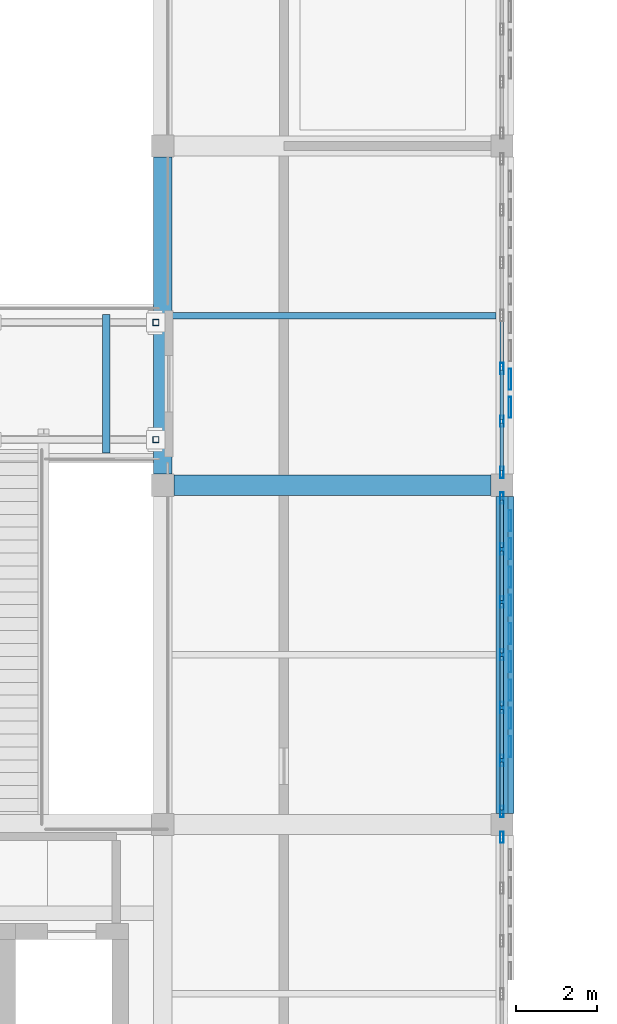
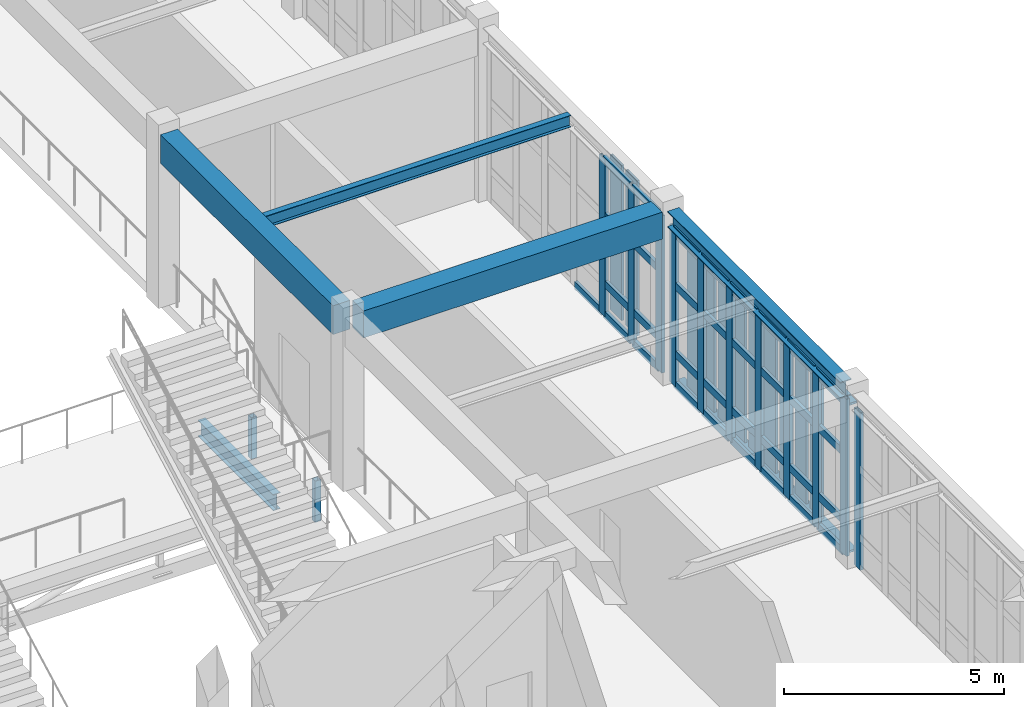
# One storey, part 22 of 106: 59 members, 5 beams, 3 elements without a shape of their own.
"""IFC4 building model written with IfcOpenShell, lengths in metres."""

from ifc_helpers import new_model, si_unit, direction, frame, origin, origin_2d, place, context, subcontext, project, spatial, rectangle, hollow_rectangle, i_section, extrude, material, layer, layer_set, material_profile, profile_set, type_object, element, aggregate, save


model = new_model("IFC4")

# Units and contexts
model_context = context("Model", 3, precision=1e-05, world=origin(), true_north=direction((0.0, 1.0)))
body_context = subcontext(model_context, "Body", "Model", "MODEL_VIEW")
ifc_project = project(units=[si_unit("LENGTHUNIT", "METRE"), si_unit("AREAUNIT", "SQUARE_METRE"), si_unit("VOLUMEUNIT", "CUBIC_METRE"), si_unit("PLANEANGLEUNIT", "RADIAN"), si_unit("MASSUNIT", "GRAM", prefix="KILO")], contexts=[model_context])

# Site, building, storey
site_placement = place(None, origin())
site = spatial("IfcSite", under=ifc_project, at=site_placement, CompositionType="ELEMENT")
building_placement = place(site_placement, origin())
building = spatial("IfcBuilding", under=site, at=building_placement, Name="Krzemoval Escarpment Law Courts", CompositionType="ELEMENT")
storey_placement = place(building_placement, frame((0.0, 0.0, 5.10009765625)))
storey = spatial("IfcBuildingStorey", under=building, at=storey_placement, Name="L01", CompositionType="ELEMENT", Elevation=5.10009765625)

# Beams
ifc_material_1 = material(Name="Concrete C40/50", Category="concrete")
ifc_material_profile_1 = material_profile(ifc_material_1, rectangle(XDim=0.449951171875, YDim=0.800048828125, at=origin_2d()), Name="RCB 450x800")
ifc_profile_set_1 = profile_set([ifc_material_profile_1], Name="Concrete C40/50")
beam_type_1 = type_object("IfcBeamType", Name="BM-RC-450x800", PredefinedType="BEAM", material=ifc_profile_set_1)
beam_1_placement = place(storey_placement, frame((33.60009765625, 57.875, 4.419921875), z_axis=(0.0, 1.0, 0.0), x_axis=(-1.0, 0.0, 0.0)))
element("IfcBeam", 1, at=beam_1_placement, inside=storey, type_object=beam_type_1, Name="Beam FG-L01-1427", PredefinedType="BEAM", context=body_context, shape_type="SweptSolid", body=[
    extrude(rectangle(XDim=0.449951171875, YDim=0.800048828125, at=origin_2d()), origin(), (0.0, 0.0, 1.0), 7.85009765625),
])
ifc_material_2 = material(Name="Concrete C40/50", Category="concrete")
ifc_material_profile_2 = material_profile(ifc_material_2, rectangle(XDim=0.5, YDim=0.75, at=origin_2d()), Name="RCB 500x750")
ifc_profile_set_2 = profile_set([ifc_material_profile_2], Name="Concrete C40/50")
beam_type_2 = type_object("IfcBeamType", Name="BM-RC-500x750", PredefinedType="BEAM", material=ifc_profile_set_2)
beam_2_placement = place(storey_placement, frame((33.875, 57.60009765625, 4.44482421875), z_axis=(1.0, 0.0, 0.0), x_axis=(0.0, 1.0, 0.0)))
element("IfcBeam", 2, at=beam_2_placement, inside=storey, type_object=beam_type_2, Name="Beam FG-L01-1256", PredefinedType="BEAM", context=body_context, shape_type="SweptSolid", body=[
    extrude(rectangle(XDim=0.5, YDim=0.75, at=origin_2d()), origin(), (0.0, 0.0, 1.0), 7.85009765625),
])
ifc_material_3 = material(Name="Steel S355", Category="steel")
ifc_material_profile_3 = material_profile(ifc_material_3, i_section(OverallWidth=0.18994140625, OverallDepth=0.449951171875, WebThickness=0.009521484375, FlangeThickness=0.0146484375, at=origin_2d()), Name="IPE 450")
ifc_profile_set_3 = profile_set([ifc_material_profile_3], Name="Steel S355")
beam_type_3 = type_object("IfcBeamType", Name="BM-S355-IPE450", PredefinedType="BEAM", material=ifc_profile_set_3)
beam_3_placement = place(storey_placement, frame((32.199951171875, 58.39990234375, -0.525146484375), z_axis=(0.0, 1.0, 0.0), x_axis=(-1.0, 0.0, 0.0)))
element("IfcBeam", 3, at=beam_3_placement, inside=storey, type_object=beam_type_3, Name="Bridge Cross Beam BBM-2835", PredefinedType="BEAM", context=body_context, shape_type="SweptSolid", body=[
    extrude(i_section(OverallWidth=0.18994140625, OverallDepth=0.449951171875, WebThickness=0.009521484375, FlangeThickness=0.0146484375, at=origin_2d()), origin(), (0.0, 0.0, 1.0), 3.43017578125),
])

# Curtain wall, members
ifc_material_4 = material(Name="Aluminium 6063-T6", Category="aluminium")
ifc_layer = layer(ifc_material_4, 0.280029296875)
ifc_layer_set = layer_set([ifc_layer], Name="Aluminium 6063-T6")
curtain_wall_type = type_object("IfcCurtainWallType", Name="CW-HALL-5100", PredefinedType="USERDEFINED", material=ifc_layer_set)
curtain_wall_1_placement = place(storey_placement, origin())
curtain_wall_1 = element("IfcCurtainWall", 4, at=curtain_wall_1_placement, inside=storey, type_object=curtain_wall_type, Name="Unitised Curtain Wall FCW-L01-061", ObjectType="UNITISED_CURTAIN_WALL", PredefinedType="USERDEFINED")
ifc_material_5 = material(Name="Aluminium 6063-T6", Category="aluminium")
ifc_material_profile_4 = material_profile(ifc_material_5, hollow_rectangle(XDim=0.0849609375, YDim=0.280029296875, WallThickness=0.005615234375, at=origin_2d()), Name="ALU M85x280")
ifc_profile_set_4 = profile_set([ifc_material_profile_4], Name="Aluminium 6063-T6")
member_type_1 = type_object("IfcMemberType", Name="CWM-85x280", PredefinedType="MULLION", material=ifc_profile_set_4)
member_1_placement = place(storey_placement, frame((42.0, 60.49169921875, 0.0), z_axis=(0.0, 0.0, 1.0), x_axis=(1.0, 0.0, 0.0)))
member_1 = element("IfcMember", 5, at=member_1_placement, type_object=member_type_1, Name="FCW-L01-061 mullion 5", PredefinedType="MULLION", context=body_context, shape_type="SweptSolid", body=[
    extrude(hollow_rectangle(XDim=0.0849609375, YDim=0.280029296875, WallThickness=0.005615234375, at=origin_2d()), origin(), (0.0, 0.0, 1.0), 4.369873046875),
])
member_2_placement = place(storey_placement, frame((42.0, 59.183349609375, 0.0), z_axis=(0.0, 0.0, 1.0), x_axis=(1.0, 0.0, 0.0)))
member_2 = element("IfcMember", 6, at=member_2_placement, type_object=member_type_1, Name="FCW-L01-061 mullion 6", PredefinedType="MULLION", context=body_context, shape_type="SweptSolid", body=[
    extrude(hollow_rectangle(XDim=0.0849609375, YDim=0.280029296875, WallThickness=0.005615234375, at=origin_2d()), origin(), (0.0, 0.0, 1.0), 4.369873046875),
])
member_3_placement = place(storey_placement, frame((42.0, 57.91748046875, 0.0), z_axis=(0.0, 0.0, 1.0), x_axis=(1.0, 0.0, 0.0)))
member_3 = element("IfcMember", 7, at=member_3_placement, type_object=member_type_1, Name="FCW-L01-061 mullion 7", PredefinedType="MULLION", context=body_context, shape_type="SweptSolid", body=[
    extrude(hollow_rectangle(XDim=0.0849609375, YDim=0.280029296875, WallThickness=0.005615234375, at=origin_2d()), origin(), (0.0, 0.0, 1.0), 4.369873046875),
])

curtain_wall_2_placement = place(storey_placement, origin())
curtain_wall_2 = element("IfcCurtainWall", 8, at=curtain_wall_2_placement, inside=storey, type_object=curtain_wall_type, Name="Unitised Curtain Wall FCW-L01-062", ObjectType="UNITISED_CURTAIN_WALL", PredefinedType="USERDEFINED")
member_4_placement = place(storey_placement, frame((42.0, 57.282470703125, 0.0), z_axis=(0.0, 0.0, 1.0), x_axis=(1.0, 0.0, 0.0)))
member_4 = element("IfcMember", 9, at=member_4_placement, type_object=member_type_1, Name="FCW-L01-062 mullion 1", PredefinedType="MULLION", context=body_context, shape_type="SweptSolid", body=[
    extrude(hollow_rectangle(XDim=0.0849609375, YDim=0.280029296875, WallThickness=0.005615234375, at=origin_2d()), origin(), (0.0, 0.0, 1.0), 4.369873046875),
])
member_5_placement = place(storey_placement, frame((42.0, 56.0166015625, 0.0), z_axis=(0.0, 0.0, 1.0), x_axis=(1.0, 0.0, 0.0)))
member_5 = element("IfcMember", 10, at=member_5_placement, type_object=member_type_1, Name="FCW-L01-062 mullion 2", PredefinedType="MULLION", context=body_context, shape_type="SweptSolid", body=[
    extrude(hollow_rectangle(XDim=0.0849609375, YDim=0.280029296875, WallThickness=0.005615234375, at=origin_2d()), origin(), (0.0, 0.0, 1.0), 4.369873046875),
])
member_6_placement = place(storey_placement, frame((42.0, 54.708251953125, 0.0), z_axis=(0.0, 0.0, 1.0), x_axis=(1.0, 0.0, 0.0)))
member_6 = element("IfcMember", 11, at=member_6_placement, type_object=member_type_1, Name="FCW-L01-062 mullion 3", PredefinedType="MULLION", context=body_context, shape_type="SweptSolid", body=[
    extrude(hollow_rectangle(XDim=0.0849609375, YDim=0.280029296875, WallThickness=0.005615234375, at=origin_2d()), origin(), (0.0, 0.0, 1.0), 4.369873046875),
])
member_7_placement = place(storey_placement, frame((42.0, 53.39990234375, 0.0), z_axis=(0.0, 0.0, 1.0), x_axis=(1.0, 0.0, 0.0)))
member_7 = element("IfcMember", 12, at=member_7_placement, type_object=member_type_1, Name="FCW-L01-062 mullion 4", PredefinedType="MULLION", context=body_context, shape_type="SweptSolid", body=[
    extrude(hollow_rectangle(XDim=0.0849609375, YDim=0.280029296875, WallThickness=0.005615234375, at=origin_2d()), origin(), (0.0, 0.0, 1.0), 4.369873046875),
])
member_8_placement = place(storey_placement, frame((42.0, 52.091552734375, 0.0), z_axis=(0.0, 0.0, 1.0), x_axis=(1.0, 0.0, 0.0)))
member_8 = element("IfcMember", 13, at=member_8_placement, type_object=member_type_1, Name="FCW-L01-062 mullion 5", PredefinedType="MULLION", context=body_context, shape_type="SweptSolid", body=[
    extrude(hollow_rectangle(XDim=0.0849609375, YDim=0.280029296875, WallThickness=0.005615234375, at=origin_2d()), origin(), (0.0, 0.0, 1.0), 4.369873046875),
])
member_9_placement = place(storey_placement, frame((42.0, 50.783447265625, 0.0), z_axis=(0.0, 0.0, 1.0), x_axis=(1.0, 0.0, 0.0)))
member_9 = element("IfcMember", 14, at=member_9_placement, type_object=member_type_1, Name="FCW-L01-062 mullion 6", PredefinedType="MULLION", context=body_context, shape_type="SweptSolid", body=[
    extrude(hollow_rectangle(XDim=0.0849609375, YDim=0.280029296875, WallThickness=0.005615234375, at=origin_2d()), origin(), (0.0, 0.0, 1.0), 4.369873046875),
])
member_10_placement = place(storey_placement, frame((42.0, 49.517578125, 0.0), z_axis=(0.0, 0.0, 1.0), x_axis=(1.0, 0.0, 0.0)))
member_10 = element("IfcMember", 15, at=member_10_placement, type_object=member_type_1, Name="FCW-L01-062 mullion 7", PredefinedType="MULLION", context=body_context, shape_type="SweptSolid", body=[
    extrude(hollow_rectangle(XDim=0.0849609375, YDim=0.280029296875, WallThickness=0.005615234375, at=origin_2d()), origin(), (0.0, 0.0, 1.0), 4.369873046875),
])

# Curtain wall, member
curtain_wall_3_placement = place(storey_placement, origin())
curtain_wall_3 = element("IfcCurtainWall", 16, at=curtain_wall_3_placement, inside=storey, type_object=curtain_wall_type, Name="Unitised Curtain Wall FCW-L01-063", ObjectType="UNITISED_CURTAIN_WALL", PredefinedType="USERDEFINED")
member_11_placement = place(storey_placement, frame((42.0, 48.882568359375, 0.0), z_axis=(0.0, 0.0, 1.0), x_axis=(1.0, 0.0, 0.0)))
member_11 = element("IfcMember", 17, at=member_11_placement, type_object=member_type_1, Name="FCW-L01-063 mullion 1", PredefinedType="MULLION", context=body_context, shape_type="SweptSolid", body=[
    extrude(hollow_rectangle(XDim=0.0849609375, YDim=0.280029296875, WallThickness=0.005615234375, at=origin_2d()), origin(), (0.0, 0.0, 1.0), 4.369873046875),
])
aggregate(curtain_wall_3, [member_11])

# Member
ifc_material_6 = material(Name="Aluminium 6063-T6", Category="aluminium")
ifc_material_profile_5 = material_profile(ifc_material_6, hollow_rectangle(XDim=0.0849609375, YDim=0.2099609375, WallThickness=0.005615234375, at=origin_2d()), Name="ALU T85x210")
ifc_profile_set_5 = profile_set([ifc_material_profile_5], Name="Aluminium 6063-T6")
member_type_2 = type_object("IfcMemberType", Name="CWT-85x210", PredefinedType="USERDEFINED", material=ifc_profile_set_5)
member_12_placement = place(storey_placement, frame((42.0, 61.757568359375, 0.04248046875), z_axis=(0.0, -1.0, 0.0), x_axis=(1.0, 0.0, 0.0)))
member_12 = element("IfcMember", 18, at=member_12_placement, type_object=member_type_2, Name="FCW-L01-061 transom 4.1", ObjectType="TRANSOM", PredefinedType="USERDEFINED", context=body_context, shape_type="SweptSolid", body=[
    extrude(hollow_rectangle(XDim=0.0849609375, YDim=0.2099609375, WallThickness=0.005615234375, at=origin_2d()), origin(), (0.0, 0.0, 1.0), 1.223388671875),
])

member_13_placement = place(storey_placement, frame((42.0, 60.44921875, 0.04248046875), z_axis=(0.0, -1.0, 0.0), x_axis=(1.0, 0.0, 0.0)))
member_13 = element("IfcMember", 19, at=member_13_placement, type_object=member_type_2, Name="FCW-L01-061 transom 5.1", ObjectType="TRANSOM", PredefinedType="USERDEFINED", context=body_context, shape_type="SweptSolid", body=[
    extrude(hollow_rectangle(XDim=0.0849609375, YDim=0.2099609375, WallThickness=0.005615234375, at=origin_2d()), origin(), (0.0, 0.0, 1.0), 1.223388671875),
])

member_14_placement = place(storey_placement, frame((42.0, 60.44921875, 0.89990234375), z_axis=(0.0, -1.0, 0.0), x_axis=(1.0, 0.0, 0.0)))
member_14 = element("IfcMember", 20, at=member_14_placement, type_object=member_type_2, Name="FCW-L01-061 transom 5.2", ObjectType="TRANSOM", PredefinedType="USERDEFINED", context=body_context, shape_type="SweptSolid", body=[
    extrude(hollow_rectangle(XDim=0.0849609375, YDim=0.2099609375, WallThickness=0.005615234375, at=origin_2d()), origin(), (0.0, 0.0, 1.0), 1.223388671875),
])

member_15_placement = place(storey_placement, frame((42.0, 60.44921875, 2.7998046875), z_axis=(0.0, -1.0, 0.0), x_axis=(1.0, 0.0, 0.0)))
member_15 = element("IfcMember", 21, at=member_15_placement, type_object=member_type_2, Name="FCW-L01-061 transom 5.3", ObjectType="TRANSOM", PredefinedType="USERDEFINED", context=body_context, shape_type="SweptSolid", body=[
    extrude(hollow_rectangle(XDim=0.0849609375, YDim=0.2099609375, WallThickness=0.005615234375, at=origin_2d()), origin(), (0.0, 0.0, 1.0), 1.223388671875),
])

member_16_placement = place(storey_placement, frame((42.0, 60.44921875, 4.327392578125), z_axis=(0.0, -1.0, 0.0), x_axis=(1.0, 0.0, 0.0)))
member_16 = element("IfcMember", 22, at=member_16_placement, type_object=member_type_2, Name="FCW-L01-061 transom 5.4", ObjectType="TRANSOM", PredefinedType="USERDEFINED", context=body_context, shape_type="SweptSolid", body=[
    extrude(hollow_rectangle(XDim=0.0849609375, YDim=0.2099609375, WallThickness=0.005615234375, at=origin_2d()), origin(), (0.0, 0.0, 1.0), 1.223388671875),
])

member_17_placement = place(storey_placement, frame((42.0, 59.140869140625, 0.04248046875), z_axis=(0.0, -1.0, 0.0), x_axis=(1.0, 0.0, 0.0)))
member_17 = element("IfcMember", 23, at=member_17_placement, type_object=member_type_2, Name="FCW-L01-061 transom 6.1", ObjectType="TRANSOM", PredefinedType="USERDEFINED", context=body_context, shape_type="SweptSolid", body=[
    extrude(hollow_rectangle(XDim=0.0849609375, YDim=0.2099609375, WallThickness=0.005615234375, at=origin_2d()), origin(), (0.0, 0.0, 1.0), 1.180908203125),
])

member_18_placement = place(storey_placement, frame((42.0, 59.140869140625, 0.89990234375), z_axis=(0.0, -1.0, 0.0), x_axis=(1.0, 0.0, 0.0)))
member_18 = element("IfcMember", 24, at=member_18_placement, type_object=member_type_2, Name="FCW-L01-061 transom 6.2", ObjectType="TRANSOM", PredefinedType="USERDEFINED", context=body_context, shape_type="SweptSolid", body=[
    extrude(hollow_rectangle(XDim=0.0849609375, YDim=0.2099609375, WallThickness=0.005615234375, at=origin_2d()), origin(), (0.0, 0.0, 1.0), 1.180908203125),
])

member_19_placement = place(storey_placement, frame((42.0, 59.140869140625, 2.7998046875), z_axis=(0.0, -1.0, 0.0), x_axis=(1.0, 0.0, 0.0)))
member_19 = element("IfcMember", 25, at=member_19_placement, type_object=member_type_2, Name="FCW-L01-061 transom 6.3", ObjectType="TRANSOM", PredefinedType="USERDEFINED", context=body_context, shape_type="SweptSolid", body=[
    extrude(hollow_rectangle(XDim=0.0849609375, YDim=0.2099609375, WallThickness=0.005615234375, at=origin_2d()), origin(), (0.0, 0.0, 1.0), 1.180908203125),
])

member_20_placement = place(storey_placement, frame((42.0, 59.140869140625, 4.327392578125), z_axis=(0.0, -1.0, 0.0), x_axis=(1.0, 0.0, 0.0)))
member_20 = element("IfcMember", 26, at=member_20_placement, type_object=member_type_2, Name="FCW-L01-061 transom 6.4", ObjectType="TRANSOM", PredefinedType="USERDEFINED", context=body_context, shape_type="SweptSolid", body=[
    extrude(hollow_rectangle(XDim=0.0849609375, YDim=0.2099609375, WallThickness=0.005615234375, at=origin_2d()), origin(), (0.0, 0.0, 1.0), 1.180908203125),
])

aggregate(curtain_wall_1, [member_1, member_2, member_3, member_12, member_13, member_14, member_15, member_16, member_17, member_18, member_19, member_20])

member_21_placement = place(storey_placement, frame((42.0, 57.239990234375, 0.04248046875), z_axis=(0.0, -1.0, 0.0), x_axis=(1.0, 0.0, 0.0)))
member_21 = element("IfcMember", 27, at=member_21_placement, type_object=member_type_2, Name="FCW-L01-062 transom 1.1", ObjectType="TRANSOM", PredefinedType="USERDEFINED", context=body_context, shape_type="SweptSolid", body=[
    extrude(hollow_rectangle(XDim=0.0849609375, YDim=0.2099609375, WallThickness=0.005615234375, at=origin_2d()), origin(), (0.0, 0.0, 1.0), 1.180908203125),
])

member_22_placement = place(storey_placement, frame((42.0, 57.239990234375, 0.89990234375), z_axis=(0.0, -1.0, 0.0), x_axis=(1.0, 0.0, 0.0)))
member_22 = element("IfcMember", 28, at=member_22_placement, type_object=member_type_2, Name="FCW-L01-062 transom 1.2", ObjectType="TRANSOM", PredefinedType="USERDEFINED", context=body_context, shape_type="SweptSolid", body=[
    extrude(hollow_rectangle(XDim=0.0849609375, YDim=0.2099609375, WallThickness=0.005615234375, at=origin_2d()), origin(), (0.0, 0.0, 1.0), 1.180908203125),
])

member_23_placement = place(storey_placement, frame((42.0, 57.239990234375, 2.7998046875), z_axis=(0.0, -1.0, 0.0), x_axis=(1.0, 0.0, 0.0)))
member_23 = element("IfcMember", 29, at=member_23_placement, type_object=member_type_2, Name="FCW-L01-062 transom 1.3", ObjectType="TRANSOM", PredefinedType="USERDEFINED", context=body_context, shape_type="SweptSolid", body=[
    extrude(hollow_rectangle(XDim=0.0849609375, YDim=0.2099609375, WallThickness=0.005615234375, at=origin_2d()), origin(), (0.0, 0.0, 1.0), 1.180908203125),
])

member_24_placement = place(storey_placement, frame((42.0, 57.239990234375, 4.327392578125), z_axis=(0.0, -1.0, 0.0), x_axis=(1.0, 0.0, 0.0)))
member_24 = element("IfcMember", 30, at=member_24_placement, type_object=member_type_2, Name="FCW-L01-062 transom 1.4", ObjectType="TRANSOM", PredefinedType="USERDEFINED", context=body_context, shape_type="SweptSolid", body=[
    extrude(hollow_rectangle(XDim=0.0849609375, YDim=0.2099609375, WallThickness=0.005615234375, at=origin_2d()), origin(), (0.0, 0.0, 1.0), 1.180908203125),
])

member_25_placement = place(storey_placement, frame((42.0, 55.97412109375, 0.04248046875), z_axis=(0.0, -1.0, 0.0), x_axis=(1.0, 0.0, 0.0)))
member_25 = element("IfcMember", 31, at=member_25_placement, type_object=member_type_2, Name="FCW-L01-062 transom 2.1", ObjectType="TRANSOM", PredefinedType="USERDEFINED", context=body_context, shape_type="SweptSolid", body=[
    extrude(hollow_rectangle(XDim=0.0849609375, YDim=0.2099609375, WallThickness=0.005615234375, at=origin_2d()), origin(), (0.0, 0.0, 1.0), 1.223388671875),
])

member_26_placement = place(storey_placement, frame((42.0, 55.97412109375, 0.89990234375), z_axis=(0.0, -1.0, 0.0), x_axis=(1.0, 0.0, 0.0)))
member_26 = element("IfcMember", 32, at=member_26_placement, type_object=member_type_2, Name="FCW-L01-062 transom 2.2", ObjectType="TRANSOM", PredefinedType="USERDEFINED", context=body_context, shape_type="SweptSolid", body=[
    extrude(hollow_rectangle(XDim=0.0849609375, YDim=0.2099609375, WallThickness=0.005615234375, at=origin_2d()), origin(), (0.0, 0.0, 1.0), 1.223388671875),
])

member_27_placement = place(storey_placement, frame((42.0, 55.97412109375, 2.7998046875), z_axis=(0.0, -1.0, 0.0), x_axis=(1.0, 0.0, 0.0)))
member_27 = element("IfcMember", 33, at=member_27_placement, type_object=member_type_2, Name="FCW-L01-062 transom 2.3", ObjectType="TRANSOM", PredefinedType="USERDEFINED", context=body_context, shape_type="SweptSolid", body=[
    extrude(hollow_rectangle(XDim=0.0849609375, YDim=0.2099609375, WallThickness=0.005615234375, at=origin_2d()), origin(), (0.0, 0.0, 1.0), 1.223388671875),
])

member_28_placement = place(storey_placement, frame((42.0, 55.97412109375, 4.327392578125), z_axis=(0.0, -1.0, 0.0), x_axis=(1.0, 0.0, 0.0)))
member_28 = element("IfcMember", 34, at=member_28_placement, type_object=member_type_2, Name="FCW-L01-062 transom 2.4", ObjectType="TRANSOM", PredefinedType="USERDEFINED", context=body_context, shape_type="SweptSolid", body=[
    extrude(hollow_rectangle(XDim=0.0849609375, YDim=0.2099609375, WallThickness=0.005615234375, at=origin_2d()), origin(), (0.0, 0.0, 1.0), 1.223388671875),
])

member_29_placement = place(storey_placement, frame((42.0, 54.665771484375, 0.04248046875), z_axis=(0.0, -1.0, 0.0), x_axis=(1.0, 0.0, 0.0)))
member_29 = element("IfcMember", 35, at=member_29_placement, type_object=member_type_2, Name="FCW-L01-062 transom 3.1", ObjectType="TRANSOM", PredefinedType="USERDEFINED", context=body_context, shape_type="SweptSolid", body=[
    extrude(hollow_rectangle(XDim=0.0849609375, YDim=0.2099609375, WallThickness=0.005615234375, at=origin_2d()), origin(), (0.0, 0.0, 1.0), 1.223388671875),
])

member_30_placement = place(storey_placement, frame((42.0, 54.665771484375, 0.89990234375), z_axis=(0.0, -1.0, 0.0), x_axis=(1.0, 0.0, 0.0)))
member_30 = element("IfcMember", 36, at=member_30_placement, type_object=member_type_2, Name="FCW-L01-062 transom 3.2", ObjectType="TRANSOM", PredefinedType="USERDEFINED", context=body_context, shape_type="SweptSolid", body=[
    extrude(hollow_rectangle(XDim=0.0849609375, YDim=0.2099609375, WallThickness=0.005615234375, at=origin_2d()), origin(), (0.0, 0.0, 1.0), 1.223388671875),
])

member_31_placement = place(storey_placement, frame((42.0, 54.665771484375, 2.7998046875), z_axis=(0.0, -1.0, 0.0), x_axis=(1.0, 0.0, 0.0)))
member_31 = element("IfcMember", 37, at=member_31_placement, type_object=member_type_2, Name="FCW-L01-062 transom 3.3", ObjectType="TRANSOM", PredefinedType="USERDEFINED", context=body_context, shape_type="SweptSolid", body=[
    extrude(hollow_rectangle(XDim=0.0849609375, YDim=0.2099609375, WallThickness=0.005615234375, at=origin_2d()), origin(), (0.0, 0.0, 1.0), 1.223388671875),
])

member_32_placement = place(storey_placement, frame((42.0, 54.665771484375, 4.327392578125), z_axis=(0.0, -1.0, 0.0), x_axis=(1.0, 0.0, 0.0)))
member_32 = element("IfcMember", 38, at=member_32_placement, type_object=member_type_2, Name="FCW-L01-062 transom 3.4", ObjectType="TRANSOM", PredefinedType="USERDEFINED", context=body_context, shape_type="SweptSolid", body=[
    extrude(hollow_rectangle(XDim=0.0849609375, YDim=0.2099609375, WallThickness=0.005615234375, at=origin_2d()), origin(), (0.0, 0.0, 1.0), 1.223388671875),
])

member_33_placement = place(storey_placement, frame((42.0, 53.357421875, 0.04248046875), z_axis=(0.0, -1.0, 0.0), x_axis=(1.0, 0.0, 0.0)))
member_33 = element("IfcMember", 39, at=member_33_placement, type_object=member_type_2, Name="FCW-L01-062 transom 4.1", ObjectType="TRANSOM", PredefinedType="USERDEFINED", context=body_context, shape_type="SweptSolid", body=[
    extrude(hollow_rectangle(XDim=0.0849609375, YDim=0.2099609375, WallThickness=0.005615234375, at=origin_2d()), origin(), (0.0, 0.0, 1.0), 1.22314453125),
])

member_34_placement = place(storey_placement, frame((42.0, 53.357421875, 0.89990234375), z_axis=(0.0, -1.0, 0.0), x_axis=(1.0, 0.0, 0.0)))
member_34 = element("IfcMember", 40, at=member_34_placement, type_object=member_type_2, Name="FCW-L01-062 transom 4.2", ObjectType="TRANSOM", PredefinedType="USERDEFINED", context=body_context, shape_type="SweptSolid", body=[
    extrude(hollow_rectangle(XDim=0.0849609375, YDim=0.2099609375, WallThickness=0.005615234375, at=origin_2d()), origin(), (0.0, 0.0, 1.0), 1.22314453125),
])

member_35_placement = place(storey_placement, frame((42.0, 53.357421875, 2.7998046875), z_axis=(0.0, -1.0, 0.0), x_axis=(1.0, 0.0, 0.0)))
member_35 = element("IfcMember", 41, at=member_35_placement, type_object=member_type_2, Name="FCW-L01-062 transom 4.3", ObjectType="TRANSOM", PredefinedType="USERDEFINED", context=body_context, shape_type="SweptSolid", body=[
    extrude(hollow_rectangle(XDim=0.0849609375, YDim=0.2099609375, WallThickness=0.005615234375, at=origin_2d()), origin(), (0.0, 0.0, 1.0), 1.22314453125),
])

member_36_placement = place(storey_placement, frame((42.0, 53.357421875, 4.327392578125), z_axis=(0.0, -1.0, 0.0), x_axis=(1.0, 0.0, 0.0)))
member_36 = element("IfcMember", 42, at=member_36_placement, type_object=member_type_2, Name="FCW-L01-062 transom 4.4", ObjectType="TRANSOM", PredefinedType="USERDEFINED", context=body_context, shape_type="SweptSolid", body=[
    extrude(hollow_rectangle(XDim=0.0849609375, YDim=0.2099609375, WallThickness=0.005615234375, at=origin_2d()), origin(), (0.0, 0.0, 1.0), 1.22314453125),
])

member_37_placement = place(storey_placement, frame((42.0, 52.049072265625, 0.04248046875), z_axis=(0.0, -1.0, 0.0), x_axis=(1.0, 0.0, 0.0)))
member_37 = element("IfcMember", 43, at=member_37_placement, type_object=member_type_2, Name="FCW-L01-062 transom 5.1", ObjectType="TRANSOM", PredefinedType="USERDEFINED", context=body_context, shape_type="SweptSolid", body=[
    extrude(hollow_rectangle(XDim=0.0849609375, YDim=0.2099609375, WallThickness=0.005615234375, at=origin_2d()), origin(), (0.0, 0.0, 1.0), 1.22314453125),
])

member_38_placement = place(storey_placement, frame((42.0, 52.049072265625, 0.89990234375), z_axis=(0.0, -1.0, 0.0), x_axis=(1.0, 0.0, 0.0)))
member_38 = element("IfcMember", 44, at=member_38_placement, type_object=member_type_2, Name="FCW-L01-062 transom 5.2", ObjectType="TRANSOM", PredefinedType="USERDEFINED", context=body_context, shape_type="SweptSolid", body=[
    extrude(hollow_rectangle(XDim=0.0849609375, YDim=0.2099609375, WallThickness=0.005615234375, at=origin_2d()), origin(), (0.0, 0.0, 1.0), 1.22314453125),
])

member_39_placement = place(storey_placement, frame((42.0, 52.049072265625, 2.7998046875), z_axis=(0.0, -1.0, 0.0), x_axis=(1.0, 0.0, 0.0)))
member_39 = element("IfcMember", 45, at=member_39_placement, type_object=member_type_2, Name="FCW-L01-062 transom 5.3", ObjectType="TRANSOM", PredefinedType="USERDEFINED", context=body_context, shape_type="SweptSolid", body=[
    extrude(hollow_rectangle(XDim=0.0849609375, YDim=0.2099609375, WallThickness=0.005615234375, at=origin_2d()), origin(), (0.0, 0.0, 1.0), 1.22314453125),
])

member_40_placement = place(storey_placement, frame((42.0, 52.049072265625, 4.327392578125), z_axis=(0.0, -1.0, 0.0), x_axis=(1.0, 0.0, 0.0)))
member_40 = element("IfcMember", 46, at=member_40_placement, type_object=member_type_2, Name="FCW-L01-062 transom 5.4", ObjectType="TRANSOM", PredefinedType="USERDEFINED", context=body_context, shape_type="SweptSolid", body=[
    extrude(hollow_rectangle(XDim=0.0849609375, YDim=0.2099609375, WallThickness=0.005615234375, at=origin_2d()), origin(), (0.0, 0.0, 1.0), 1.22314453125),
])

member_41_placement = place(storey_placement, frame((42.0, 50.74072265625, 0.04248046875), z_axis=(0.0, -1.0, 0.0), x_axis=(1.0, 0.0, 0.0)))
member_41 = element("IfcMember", 47, at=member_41_placement, type_object=member_type_2, Name="FCW-L01-062 transom 6.1", ObjectType="TRANSOM", PredefinedType="USERDEFINED", context=body_context, shape_type="SweptSolid", body=[
    extrude(hollow_rectangle(XDim=0.0849609375, YDim=0.2099609375, WallThickness=0.005615234375, at=origin_2d()), origin(), (0.0, 0.0, 1.0), 1.1806640625),
])

member_42_placement = place(storey_placement, frame((42.0, 50.74072265625, 0.89990234375), z_axis=(0.0, -1.0, 0.0), x_axis=(1.0, 0.0, 0.0)))
member_42 = element("IfcMember", 48, at=member_42_placement, type_object=member_type_2, Name="FCW-L01-062 transom 6.2", ObjectType="TRANSOM", PredefinedType="USERDEFINED", context=body_context, shape_type="SweptSolid", body=[
    extrude(hollow_rectangle(XDim=0.0849609375, YDim=0.2099609375, WallThickness=0.005615234375, at=origin_2d()), origin(), (0.0, 0.0, 1.0), 1.1806640625),
])

member_43_placement = place(storey_placement, frame((42.0, 50.74072265625, 2.7998046875), z_axis=(0.0, -1.0, 0.0), x_axis=(1.0, 0.0, 0.0)))
member_43 = element("IfcMember", 49, at=member_43_placement, type_object=member_type_2, Name="FCW-L01-062 transom 6.3", ObjectType="TRANSOM", PredefinedType="USERDEFINED", context=body_context, shape_type="SweptSolid", body=[
    extrude(hollow_rectangle(XDim=0.0849609375, YDim=0.2099609375, WallThickness=0.005615234375, at=origin_2d()), origin(), (0.0, 0.0, 1.0), 1.1806640625),
])

member_44_placement = place(storey_placement, frame((42.0, 50.74072265625, 4.327392578125), z_axis=(0.0, -1.0, 0.0), x_axis=(1.0, 0.0, 0.0)))
member_44 = element("IfcMember", 50, at=member_44_placement, type_object=member_type_2, Name="FCW-L01-062 transom 6.4", ObjectType="TRANSOM", PredefinedType="USERDEFINED", context=body_context, shape_type="SweptSolid", body=[
    extrude(hollow_rectangle(XDim=0.0849609375, YDim=0.2099609375, WallThickness=0.005615234375, at=origin_2d()), origin(), (0.0, 0.0, 1.0), 1.1806640625),
])

aggregate(curtain_wall_2, [member_4, member_5, member_6, member_7, member_8, member_9, member_10, member_21, member_22, member_23, member_24, member_25, member_26, member_27, member_28, member_29, member_30, member_31, member_32, member_33, member_34, member_35, member_36, member_37, member_38, member_39, member_40, member_41, member_42, member_43, member_44])

# Beam
ifc_material_7 = material(Name="Steel S355", Category="steel")
ifc_material_profile_6 = material_profile(ifc_material_7, i_section(OverallWidth=0.159912109375, OverallDepth=0.330078125, WebThickness=0.007568359375, FlangeThickness=0.011474609375, at=origin_2d()), Name="IPE 330")
ifc_profile_set_6 = profile_set([ifc_material_profile_6], Name="Steel S355")
beam_type_4 = type_object("IfcBeamType", Name="JST-S355-IPE330", PredefinedType="JOIST", material=ifc_profile_set_6)
beam_4_placement = place(storey_placement, frame((33.824951171875, 61.800048828125, 4.65478515625), z_axis=(1.0, 0.0, 0.0), x_axis=(0.0, 1.0, 0.0)))
element("IfcBeam", 51, at=beam_4_placement, inside=storey, type_object=beam_type_4, Name="Secondary Joist FJ-L01-1627", PredefinedType="JOIST", context=body_context, shape_type="SweptSolid", body=[
    extrude(i_section(OverallWidth=0.159912109375, OverallDepth=0.330078125, WebThickness=0.007568359375, FlangeThickness=0.011474609375, at=origin_2d()), origin(), (0.0, 0.0, 1.0), 8.025146484375),
])

# Members
ifc_material_8 = material(Name="Anodised Aluminium Alloy 6063-T6", Category="aluminium")
ifc_material_profile_7 = material_profile(ifc_material_8, hollow_rectangle(XDim=0.06005859375, YDim=0.320068359375, WallThickness=0.00390625, at=origin_2d()), Name="ALU LVR 60x320")
ifc_profile_set_7 = profile_set([ifc_material_profile_7], Name="Anodised Aluminium Alloy 6063-T6")
member_type_3 = type_object("IfcMemberType", Name="LVR-ALU-320", PredefinedType="USERDEFINED", material=ifc_profile_set_7)
for number, where, z_axis, x_axis, name in (
    (52, (42.139892578125, 57.324951171875, 0.02978515625), (0.0, -1.0, 0.0), (0.0, 0.0, 1.0), "Sunshade Support Rail FSR-L01-0345"),
    (53, (42.139892578125, 57.324951171875, 4.119873046875), (0.0, -1.0, 0.0), (0.0, 0.0, 1.0), "Sunshade Support Rail FSR-L01-0346"),
):
    element("IfcMember", number, at=place(storey_placement, frame(where, z_axis=z_axis, x_axis=x_axis)), inside=storey, type_object=member_type_3, Name=name, ObjectType="SUNSHADE_LOUVRE", PredefinedType="USERDEFINED", context=body_context, shape_type="SweptSolid", body=[
        extrude(hollow_rectangle(XDim=0.06005859375, YDim=0.320068359375, WallThickness=0.00390625, at=origin_2d()), origin(), (0.0, 0.0, 1.0), 7.849853515625),
    ])
ifc_material_9 = material(Name="Anodised Aluminium Alloy 6063-T6", Category="aluminium")
ifc_material_profile_8 = material_profile(ifc_material_9, hollow_rectangle(XDim=0.06494140625, YDim=0.52001953125, WallThickness=0.00439453125, at=origin_2d()), Name="ALU LVR 65x520")
ifc_profile_set_8 = profile_set([ifc_material_profile_8], Name="Anodised Aluminium Alloy 6063-T6")
member_type_4 = type_object("IfcMemberType", Name="LVR-ALU-520", PredefinedType="USERDEFINED", material=ifc_profile_set_8)
for number, where, z_axis, x_axis, name in (
    (54, (42.199951171875, 60.22509765625, 0.059814453125), (0.0, 0.0, 1.0), (1.0, 0.0, 0.0), "Sunshade Louvre Fin FLV-L01-0343"),
    (55, (42.199951171875, 59.52490234375, 0.059814453125), (0.0, 0.0, 1.0), (1.0, 0.0, 0.0), "Sunshade Louvre Fin FLV-L01-0344"),
    (56, (42.199951171875, 56.72509765625, 0.059814453125), (0.0, 0.0, 1.0), (1.0, 0.0, 0.0), "Sunshade Louvre Fin FLV-L01-0347"),
    (57, (42.199951171875, 56.02490234375, 0.059814453125), (0.0, 0.0, 1.0), (1.0, 0.0, 0.0), "Sunshade Louvre Fin FLV-L01-0348"),
    (58, (42.199951171875, 55.324951171875, 0.059814453125), (0.0, 0.0, 1.0), (1.0, 0.0, 0.0), "Sunshade Louvre Fin FLV-L01-0349"),
    (59, (42.199951171875, 54.625, 0.059814453125), (0.0, 0.0, 1.0), (1.0, 0.0, 0.0), "Sunshade Louvre Fin FLV-L01-0350"),
    (60, (42.199951171875, 53.925048828125, 0.059814453125), (0.0, 0.0, 1.0), (1.0, 0.0, 0.0), "Sunshade Louvre Fin FLV-L01-0351"),
    (61, (42.199951171875, 53.22509765625, 0.059814453125), (0.0, 0.0, 1.0), (1.0, 0.0, 0.0), "Sunshade Louvre Fin FLV-L01-0352"),
    (62, (42.199951171875, 52.52490234375, 0.059814453125), (0.0, 0.0, 1.0), (1.0, 0.0, 0.0), "Sunshade Louvre Fin FLV-L01-0353"),
    (63, (42.199951171875, 51.824951171875, 0.059814453125), (0.0, 0.0, 1.0), (1.0, 0.0, 0.0), "Sunshade Louvre Fin FLV-L01-0354"),
    (64, (42.199951171875, 51.125, 0.059814453125), (0.0, 0.0, 1.0), (1.0, 0.0, 0.0), "Sunshade Louvre Fin FLV-L01-0355"),
):
    element("IfcMember", number, at=place(storey_placement, frame(where, z_axis=z_axis, x_axis=x_axis)), inside=storey, type_object=member_type_4, Name=name, ObjectType="SUNSHADE_LOUVRE", PredefinedType="USERDEFINED", context=body_context, shape_type="SweptSolid", body=[
        extrude(hollow_rectangle(XDim=0.06494140625, YDim=0.52001953125, WallThickness=0.00439453125, at=origin_2d()), origin(), (0.0, 0.0, 1.0), 4.31005859375),
    ])
ifc_material_10 = material(Name="Steel S355", Category="steel")
ifc_material_profile_9 = material_profile(ifc_material_10, hollow_rectangle(XDim=0.14990234375, YDim=0.14990234375, WallThickness=0.008056640625, at=origin_2d()), Name="SHS 150x150x8")
ifc_profile_set_9 = profile_set([ifc_material_profile_9], Name="Steel S355")
member_type_5 = type_object("IfcMemberType", Name="MBR-STR-SHS150", PredefinedType="STRUT", material=ifc_profile_set_9)
for number, where, z_axis, x_axis, name in (
    (65, (33.429931640625, 58.72998046875, -1.670166015625), (0.0, 0.0, 1.0), (1.0, 0.0, 0.0), "Bridge Truss Strut BST-0105"),
    (66, (33.429931640625, 61.6298828125, -1.670166015625), (0.0, 0.0, 1.0), (1.0, 0.0, 0.0), "Bridge Truss Strut BST-0116"),
):
    element("IfcMember", number, at=place(storey_placement, frame(where, z_axis=z_axis, x_axis=x_axis)), inside=storey, type_object=member_type_5, Name=name, PredefinedType="STRUT", context=body_context, shape_type="SweptSolid", body=[
        extrude(hollow_rectangle(XDim=0.14990234375, YDim=0.14990234375, WallThickness=0.008056640625, at=origin_2d()), origin(), (0.0, 0.0, 1.0), 1.150146484375),
    ])

# Beam
ifc_material_11 = material(Name="Steel S355", Category="steel")
ifc_material_profile_10 = material_profile(ifc_material_11, i_section(OverallWidth=0.300048828125, OverallDepth=0.449951171875, WebThickness=0.013916015625, FlangeThickness=0.02587890625, at=origin_2d()), Name="HEB 450")
ifc_profile_set_10 = profile_set([ifc_material_profile_10], Name="Steel S355")
beam_type_5 = type_object("IfcBeamType", Name="SPN-S355-HEB450", PredefinedType="SPANDREL", material=ifc_profile_set_10)
beam_5_placement = place(storey_placement, frame((42.0, 49.47509765625, 4.594970703125), z_axis=(0.0, 1.0, 0.0), x_axis=(-1.0, 0.0, 0.0)))
element("IfcBeam", 67, at=beam_5_placement, inside=storey, type_object=beam_type_5, Name="Beam FG-L01-1442", PredefinedType="SPANDREL", context=body_context, shape_type="SweptSolid", body=[
    extrude(i_section(OverallWidth=0.300048828125, OverallDepth=0.449951171875, WebThickness=0.013916015625, FlangeThickness=0.02587890625, at=origin_2d()), origin(), (0.0, 0.0, 1.0), 7.849853515625),
])

save(model, "model.ifc")
